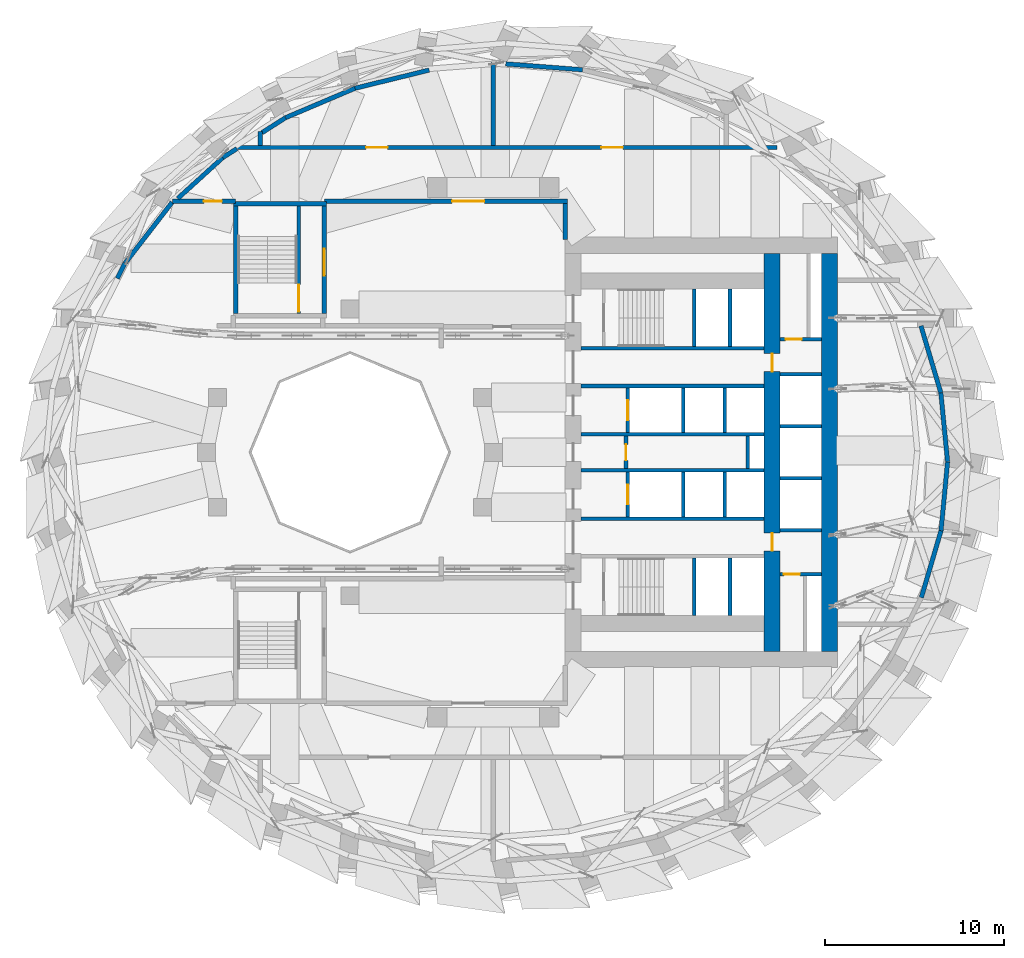
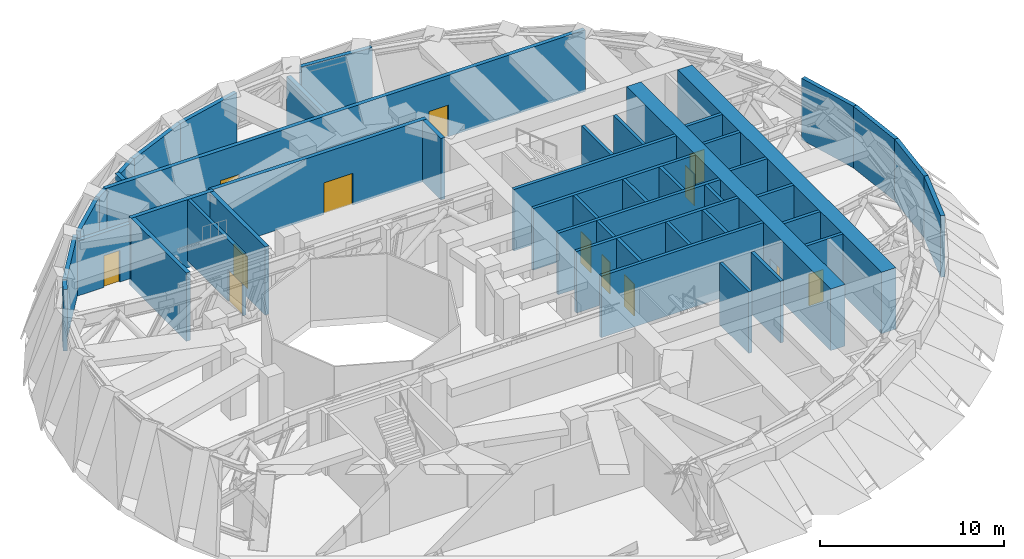
# One storey, part 8 of 14: 47 walls, 13 doors, 13 openings.
"""IFC4 building model written with IfcOpenShell, lengths in metres."""

import ifcopenshell
import ifcopenshell.guid

model = None  # the IFC model being written
_history = None  # IfcOwnerHistory: only IFC2X3 demands one
_inside = {}  # id of a spatial element -> (the spatial element, [elements in it])
_under = {}  # id of a project, library or spatial element -> (it, [spatial elements below it])
_declared = {}  # id of a project -> (the project, [libraries it declares])
_typed = {}  # id of a type object -> (the type object, [elements of that type])
_made_of = {}  # id of a material, layer set ... -> (it, [elements and type objects made of it])


def new_model(schema):
    """Start an empty IFC model of exactly this schema.

    Asked for "IFC4X3", IfcOpenShell would pick the latest addendum, in which some entities
    have other attributes; the version numbers below select the first issue.
    IFC2X3 requires an IfcOwnerHistory on every rooted entity: one is made here for all.
    """
    global model, _history
    if schema == "IFC4X3":
        model = ifcopenshell.file(schema_version=(4, 3, 0, 0))
    else:
        model = ifcopenshell.file(schema=schema)
    _inside.clear()
    _under.clear()
    _declared.clear()
    _typed.clear()
    _made_of.clear()
    _history = None
    if model.schema == "IFC2X3":
        org = make("IfcOrganization", Name="unknown")
        user = make(
            "IfcPersonAndOrganization",
            ThePerson=make("IfcPerson", FamilyName="unknown"),
            TheOrganization=org,
        )
        app = make(
            "IfcApplication",
            ApplicationDeveloper=org,
            Version="unknown",
            ApplicationFullName="unknown",
            ApplicationIdentifier="unknown",
        )
        _history = make(
            "IfcOwnerHistory",
            OwningUser=user,
            OwningApplication=app,
            ChangeAction="ADDED",
            CreationDate=0,
        )
    return model


def make(cls, **values):
    """One entity of the class cls with the attributes given. An attribute that is None is left unset."""
    return model.create_entity(
        cls, **{name: value for name, value in values.items() if value is not None}
    )


def rooted(cls, **values):
    """An entity with a GlobalId (a new one), such as an element, a storey or a relation."""
    return make(cls, GlobalId=ifcopenshell.guid.new(), OwnerHistory=_history, **values)


def si_unit(unit_type, name, prefix=None):
    """IfcSIUnit, for example si_unit("LENGTHUNIT", "METRE", prefix="MILLI")."""
    return make("IfcSIUnit", UnitType=unit_type, Prefix=prefix, Name=name)


def assignment(units):
    """IfcUnitAssignment: the units of a project."""
    return None if units is None else make("IfcUnitAssignment", Units=units)


def point(xyz):
    """IfcCartesianPoint."""
    return None if xyz is None else make("IfcCartesianPoint", Coordinates=xyz)


def direction(xyz):
    """IfcDirection."""
    return None if xyz is None else make("IfcDirection", DirectionRatios=xyz)


def frame(location, z_axis=None, x_axis=None):
    """IfcAxis2Placement3D, a coordinate frame: its origin and axes. An axis left out is left unset."""
    return make(
        "IfcAxis2Placement3D",
        Location=point(location),
        Axis=direction(z_axis),
        RefDirection=direction(x_axis),
    )


def frame_2d(location, x_axis=None):
    """IfcAxis2Placement2D, a coordinate frame in the plane: its origin and x axis."""
    return make(
        "IfcAxis2Placement2D", Location=point(location), RefDirection=direction(x_axis)
    )


def origin():
    """The frame at (0, 0, 0) with its axes left unset."""
    return frame((0.0, 0.0, 0.0))


def place(relative_to, where):
    """IfcLocalPlacement: puts the frame where relative to a parent placement (None: the world)."""
    return make(
        "IfcLocalPlacement", PlacementRelTo=relative_to, RelativePlacement=where
    )


def context(
    kind, dimensions, precision=None, world=None, true_north=None, identifier=None
):
    """IfcGeometricRepresentationContext, for example the 3D "Model" context."""
    return make(
        "IfcGeometricRepresentationContext",
        ContextIdentifier=identifier,
        ContextType=kind,
        CoordinateSpaceDimension=dimensions,
        Precision=precision,
        WorldCoordinateSystem=world,
        TrueNorth=true_north,
    )


def subcontext(parent, identifier, kind, view, scale=None):
    """IfcGeometricRepresentationSubContext, for example "Body" below "Model"."""
    return make(
        "IfcGeometricRepresentationSubContext",
        ContextIdentifier=identifier,
        ContextType=kind,
        ParentContext=parent,
        TargetScale=scale,
        TargetView=view,
    )


def project(units=None, contexts=None):
    """IfcProject with its units and contexts."""
    return rooted(
        "IfcProject",
        Name="project",
        RepresentationContexts=contexts,
        UnitsInContext=assignment(units),
    )


def spatial(cls, under=None, at=None, **own):
    """A site, building, storey or space (cls), placed at a placement, below another one or the project."""
    s = rooted(cls, ObjectPlacement=at, **own)
    if under is not None:
        _under.setdefault(under.id(), (under, []))[1].append(s)
    return s


def profile(cls, at=None, kind="AREA", **sizes):
    """A parametric profile (cls). Its sizes go by their IFC names, for example OverallWidth=200.0."""
    return make(cls, ProfileType=kind, Position=at, **sizes)


def rectangle(**sizes):
    """IfcRectangleProfileDef."""
    return profile("IfcRectangleProfileDef", **sizes)


def extrude(swept, where, along, depth):
    """IfcExtrudedAreaSolid: the profile swept, set in the frame where, extruded along a direction by depth."""
    return make(
        "IfcExtrudedAreaSolid",
        SweptArea=swept,
        Position=where,
        ExtrudedDirection=direction(along),
        Depth=depth,
    )


def shape(context_of_items, identifier, shape_type, items):
    """IfcShapeRepresentation: the items that make up one representation, for example the "Body"."""
    return make(
        "IfcShapeRepresentation",
        ContextOfItems=context_of_items,
        RepresentationIdentifier=identifier,
        RepresentationType=shape_type,
        Items=items,
    )


def material(Name=None, Category=None):
    """IfcMaterial."""
    return make("IfcMaterial", Name=Name, Category=Category)


def layer(
    of_material, thickness, ventilated=None, Name=None, Category=None, Priority=None
):
    """IfcMaterialLayer: one layer of a wall or slab, of a material (None: an air gap)."""
    return make(
        "IfcMaterialLayer",
        Material=of_material,
        LayerThickness=thickness,
        IsVentilated=ventilated,
        Name=Name,
        Category=Category,
        Priority=Priority,
    )


def layer_set(layers, Name=None):
    """IfcMaterialLayerSet."""
    return make("IfcMaterialLayerSet", MaterialLayers=layers, LayerSetName=Name)


def made_of(thing, what):
    """Note that an element or type object is made of a material, layer set ...; save() writes the relation."""
    if what is not None:
        _made_of.setdefault(what.id(), (what, []))[1].append(thing)
    return thing


def type_object(cls, material=None, **own):
    """A type object (cls), such as IfcWallType, which elements share."""
    return made_of(rooted(cls, **own), material)


def element(
    cls,
    number,
    at=None,
    inside=None,
    cuts=None,
    type_object=None,
    material=None,
    context=None,
    identifier="Body",
    shape_type=None,
    held_by="IfcProductDefinitionShape",
    body=None,
    shapes=None,
    **own,
):
    """One element of the class cls, such as IfcWall. Its Tag is "e" and its number.

    at: its placement. inside: the storey or other place that contains it. cuts: it is an
    opening in that element (IfcRelVoidsElement). A single representation is given by context,
    identifier, shape_type and body (its items); several are given by shapes. held_by: the class
    of the entity that holds the representations. save() writes the other relations.
    """
    e = rooted(cls, Tag="e%d" % number, ObjectPlacement=at, **own)
    if body is not None:
        shapes = [shape(context, identifier, shape_type, body)]
    if shapes is not None:
        e.Representation = make(held_by, Representations=shapes)
    if inside is not None:
        _inside.setdefault(inside.id(), (inside, []))[1].append(e)
    if cuts is not None:
        rooted(
            "IfcRelVoidsElement", RelatingBuildingElement=cuts, RelatedOpeningElement=e
        )
    if type_object is not None:
        _typed.setdefault(type_object.id(), (type_object, []))[1].append(e)
    return made_of(e, material)


def fill(opening, filler):
    """IfcRelFillsElement: the door or window that sits in an opening."""
    return rooted(
        "IfcRelFillsElement",
        RelatingOpeningElement=opening,
        RelatedBuildingElement=filler,
    )


def aggregate(whole, parts):
    """IfcRelAggregates: a whole, such as a stair, and the parts it consists of."""
    return rooted("IfcRelAggregates", RelatingObject=whole, RelatedObjects=parts)


def save(model, path):
    """Write the relations noted so far, then the file.

    IfcRelAggregates (storeys below a building ...), IfcRelContainedInSpatialStructure (elements
    in a storey), IfcRelDefinesByType, IfcRelAssociatesMaterial and IfcRelDeclares: one each for
    every whole, place, type object, material and project.
    """
    for whole, parts in _under.values():
        aggregate(whole, parts)
    for where, things in _inside.values():
        rooted(
            "IfcRelContainedInSpatialStructure",
            RelatedElements=things,
            RelatingStructure=where,
        )
    for kind, things in _typed.values():
        rooted("IfcRelDefinesByType", RelatedObjects=things, RelatingType=kind)
    for what, things in _made_of.values():
        rooted("IfcRelAssociatesMaterial", RelatedObjects=things, RelatingMaterial=what)
    for by, libraries in _declared.values():
        rooted("IfcRelDeclares", RelatingContext=by, RelatedDefinitions=libraries)
    model.write(path)


model = new_model("IFC4")

# Units and contexts
model_context = context("Model", 3, precision=1e-05, world=origin(), true_north=direction((0.0, 1.0)))
body_context = subcontext(model_context, "Body", "Model", "MODEL_VIEW")
ifc_project = project(units=[si_unit("LENGTHUNIT", "METRE"), si_unit("AREAUNIT", "SQUARE_METRE"), si_unit("VOLUMEUNIT", "CUBIC_METRE"), si_unit("PLANEANGLEUNIT", "RADIAN"), si_unit("MASSUNIT", "GRAM", prefix="KILO")], contexts=[model_context])

# Site, building, storey
site_placement = place(None, origin())
site = spatial("IfcSite", under=ifc_project, at=site_placement, CompositionType="ELEMENT")
building_placement = place(site_placement, origin())
building = spatial("IfcBuilding", under=site, at=building_placement, Name="Taillehof Tower", CompositionType="ELEMENT")
storey_placement = place(building_placement, frame((0.0, 0.0, 135.10009765625)))
storey = spatial("IfcBuildingStorey", under=building, at=storey_placement, Name="L38", CompositionType="ELEMENT", Elevation=135.10009765625)

# Wall, opening, door
ifc_material_1 = material(Name="Calcium silicate masonry", Category="masonry")
ifc_layer_1 = layer(ifc_material_1, 0.199951171875)
ifc_layer_set_1 = layer_set([ifc_layer_1], Name="Compartment wall calcium silicate 200")
wall_type_1 = type_object("IfcWallType", Name="Compartment wall calcium silicate 200", PredefinedType="PARTITIONING", material=ifc_layer_set_1)
wall_1_placement = place(storey_placement, frame((7.39990234375, -0.89990234375, 0.0), z_axis=(0.0, 0.0, 1.0), x_axis=(0.0, 1.0, 0.0)))
wall_1 = element("IfcWall", 1, at=wall_1_placement, inside=storey, type_object=wall_type_1, Name="Compartment wall FW", PredefinedType="PARTITIONING", context=body_context, shape_type="SweptSolid", body=[
    extrude(rectangle(XDim=1.7998046875, YDim=0.199951171875, at=frame_2d((0.89990234375, 0.0))), origin(), (0.0, 0.0, 1.0), 4.08984375),
])
opening_1_placement = place(wall_1_placement, frame((0.449951171875, 0.0, 0.0)))
opening_1 = element("IfcOpeningElement", 2, at=opening_1_placement, cuts=wall_1, Name="Opening D3812", PredefinedType="OPENING", context=body_context, shape_type="SweptSolid", body=[
    extrude(rectangle(XDim=0.89990234375, YDim=2.10009765625, at=frame_2d((0.449951171875, 1.050048828125))), frame((0.0, 0.10986328125, 0.0), z_axis=(0.0, -1.0, 0.0), x_axis=(1.0, 0.0, 0.0)), (0.0, 0.0, 1.0), 0.219970703125),
])
ifc_material_2 = material(Name="Steel-faced fire door", Category="steel")
door_type_1 = type_object("IfcDoorType", Name="Riser and service room door 900x2100", OperationType="SINGLE_SWING_LEFT", PredefinedType="DOOR", material=ifc_material_2)
door_1_placement = place(opening_1_placement, origin())
door_1 = element("IfcDoor", 3, at=door_1_placement, inside=storey, type_object=door_type_1, Name="Door Staff Pantry", OperationType="SINGLE_SWING_RIGHT", OverallHeight=2.10009765625, OverallWidth=0.89990234375, PredefinedType="DOOR", context=body_context, shape_type="SweptSolid", body=[
    extrude(rectangle(XDim=0.89990234375, YDim=2.10009765625, at=frame_2d((0.449951171875, 1.050048828125))), frame((0.0, 0.02490234375, 0.0), z_axis=(0.0, -1.0, 0.0), x_axis=(1.0, 0.0, 0.0)), (0.0, 0.0, 1.0), 0.050048828125),
])
fill(opening_1, door_1)

# Wall
wall_2_placement = place(storey_placement, frame((14.199951171875, -0.89990234375, 0.0), z_axis=(0.0, 0.0, 1.0), x_axis=(0.0, 1.0, 0.0)))
element("IfcWall", 4, at=wall_2_placement, inside=storey, type_object=wall_type_1, Name="Compartment wall FW", PredefinedType="PARTITIONING", context=body_context, shape_type="SweptSolid", body=[
    extrude(rectangle(XDim=1.7998046875, YDim=0.199951171875, at=frame_2d((0.89990234375, 0.0))), origin(), (0.0, 0.0, 1.0), 4.08984375),
])

# Wall, opening, door
wall_3_placement = place(storey_placement, frame((16.0, 6.300048828125, 0.0), z_axis=(0.0, 0.0, 1.0), x_axis=(1.0, 0.0, 0.0)))
wall_3 = element("IfcWall", 5, at=wall_3_placement, inside=storey, type_object=wall_type_1, Name="Compartment wall FW", PredefinedType="PARTITIONING", context=body_context, shape_type="SweptSolid", body=[
    extrude(rectangle(XDim=2.300048828125, YDim=0.199951171875, at=frame_2d((1.14990234375, 0.0))), origin(), (0.0, 0.0, 1.0), 4.08984375),
])
opening_2_placement = place(wall_3_placement, frame((0.300048828125, 0.0, 0.0)))
opening_2 = element("IfcOpeningElement", 6, at=opening_2_placement, cuts=wall_3, Name="Opening D3814", PredefinedType="OPENING", context=body_context, shape_type="SweptSolid", body=[
    extrude(rectangle(XDim=0.89990234375, YDim=2.10009765625, at=frame_2d((0.449951171875, 1.050048828125))), frame((0.0, 0.10986328125, 0.0), z_axis=(0.0, -1.0, 0.0), x_axis=(1.0, 0.0, 0.0)), (0.0, 0.0, 1.0), 0.219970703125),
])
door_2_placement = place(opening_2_placement, origin())
door_2 = element("IfcDoor", 7, at=door_2_placement, inside=storey, type_object=door_type_1, Name="Door Linen Store", OperationType="SINGLE_SWING_RIGHT", OverallHeight=2.10009765625, OverallWidth=0.89990234375, PredefinedType="DOOR", context=body_context, shape_type="SweptSolid", body=[
    extrude(rectangle(XDim=0.89990234375, YDim=2.10009765625, at=frame_2d((0.449951171875, 1.050048828125))), frame((0.0, 0.02490234375, 0.0), z_axis=(0.0, -1.0, 0.0), x_axis=(1.0, 0.0, 0.0)), (0.0, 0.0, 1.0), 0.050048828125),
])
fill(opening_2, door_2)

wall_4_placement = place(storey_placement, frame((16.0, -6.800048828125, 0.0), z_axis=(0.0, 0.0, 1.0), x_axis=(1.0, 0.0, 0.0)))
wall_4 = element("IfcWall", 8, at=wall_4_placement, inside=storey, type_object=wall_type_1, Name="Compartment wall FW", PredefinedType="PARTITIONING", context=body_context, shape_type="SweptSolid", body=[
    extrude(rectangle(XDim=2.300048828125, YDim=0.199951171875, at=frame_2d((1.14990234375, 0.0))), origin(), (0.0, 0.0, 1.0), 4.08984375),
])
opening_3_placement = place(wall_4_placement, frame((0.199951171875, 0.0, 0.0)))
opening_3 = element("IfcOpeningElement", 9, at=opening_3_placement, cuts=wall_4, Name="Opening D3816", PredefinedType="OPENING", context=body_context, shape_type="SweptSolid", body=[
    extrude(rectangle(XDim=0.89990234375, YDim=2.10009765625, at=frame_2d((0.449951171875, 1.050048828125))), frame((0.0, 0.10986328125, 0.0), z_axis=(0.0, -1.0, 0.0), x_axis=(1.0, 0.0, 0.0)), (0.0, 0.0, 1.0), 0.219970703125),
])
door_3_placement = place(opening_3_placement, origin())
door_3 = element("IfcDoor", 10, at=door_3_placement, inside=storey, type_object=door_type_1, Name="Door Housekeeping Store", OperationType="SINGLE_SWING_LEFT", OverallHeight=2.10009765625, OverallWidth=0.89990234375, PredefinedType="DOOR", context=body_context, shape_type="SweptSolid", body=[
    extrude(rectangle(XDim=0.89990234375, YDim=2.10009765625, at=frame_2d((0.449951171875, 1.050048828125))), frame((0.0, 0.02490234375, 0.0), z_axis=(0.0, -1.0, 0.0), x_axis=(1.0, 0.0, 0.0)), (0.0, 0.0, 1.0), 0.050048828125),
])
fill(opening_3, door_3)

# Wall
ifc_material_3 = material(Name="Concrete C80/95", Category="concrete")
ifc_layer_2 = layer(ifc_material_3, 0.89990234375)
ifc_layer_set_2 = layer_set([ifc_layer_2], Name="Core wall C80/95 900")
wall_type_2 = type_object("IfcWallType", Name="Core wall C80/95 900", PredefinedType="SHEAR", material=ifc_layer_set_2)
wall_5_placement = place(storey_placement, frame((18.75, -11.10009765625, 0.0), z_axis=(0.0, 0.0, 1.0), x_axis=(0.0, 1.0, 0.0)))
element("IfcWall", 11, at=wall_5_placement, inside=storey, type_object=wall_type_2, Name="Core wall CW02", PredefinedType="SHEAR", context=body_context, shape_type="SweptSolid", body=[
    extrude(rectangle(XDim=22.2001953125, YDim=0.89990234375, at=frame_2d((11.10009765625, 0.0))), origin(), (0.0, 0.0, 1.0), 4.08984375),
])

# Wall, openings, doors
wall_6_placement = place(storey_placement, frame((15.550048828125, -11.10009765625, 0.0), z_axis=(0.0, 0.0, 1.0), x_axis=(0.0, 1.0, 0.0)))
wall_6 = element("IfcWall", 12, at=wall_6_placement, inside=storey, type_object=wall_type_2, Name="Core wall CW05", PredefinedType="SHEAR", context=body_context, shape_type="SweptSolid", body=[
    extrude(rectangle(XDim=22.2001953125, YDim=0.89990234375, at=frame_2d((11.10009765625, 0.0))), origin(), (0.0, 0.0, 1.0), 4.08984375),
])
opening_4_placement = place(wall_6_placement, frame((15.60009765625, 0.0, 0.0)))
opening_4 = element("IfcOpeningElement", 13, at=opening_4_placement, cuts=wall_6, Name="Opening D3813", PredefinedType="OPENING", context=body_context, shape_type="SweptSolid", body=[
    extrude(rectangle(XDim=1.0, YDim=2.10009765625, at=frame_2d((0.5, 1.050048828125))), frame((0.0, 0.4599609375, 0.0), z_axis=(0.0, -1.0, 0.0), x_axis=(1.0, 0.0, 0.0)), (0.0, 0.0, 1.0), 0.919921875),
])
opening_5_placement = place(wall_6_placement, frame((5.60009765625, 0.0, 0.0)))
opening_5 = element("IfcOpeningElement", 14, at=opening_5_placement, cuts=wall_6, Name="Opening D3815", PredefinedType="OPENING", context=body_context, shape_type="SweptSolid", body=[
    extrude(rectangle(XDim=1.0, YDim=2.10009765625, at=frame_2d((0.5, 1.050048828125))), frame((0.0, 0.4599609375, 0.0), z_axis=(0.0, -1.0, 0.0), x_axis=(1.0, 0.0, 0.0)), (0.0, 0.0, 1.0), 0.919921875),
])
ifc_material_4 = material(Name="Steel-faced fire door", Category="steel")
door_type_2 = type_object("IfcDoorType", Name="Service door 1000x2100", OperationType="SINGLE_SWING_RIGHT", PredefinedType="DOOR", material=ifc_material_4)
door_4_placement = place(opening_4_placement, origin())
door_4 = element("IfcDoor", 15, at=door_4_placement, inside=storey, type_object=door_type_2, Name="Service door strip", OperationType="SINGLE_SWING_RIGHT", OverallHeight=2.10009765625, OverallWidth=1.0, PredefinedType="DOOR", context=body_context, shape_type="SweptSolid", body=[
    extrude(rectangle(XDim=1.0, YDim=2.10009765625, at=frame_2d((0.5, 1.050048828125))), frame((0.0, 0.02490234375, 0.0), z_axis=(0.0, -1.0, 0.0), x_axis=(1.0, 0.0, 0.0)), (0.0, 0.0, 1.0), 0.050048828125),
])
fill(opening_4, door_4)
door_5_placement = place(opening_5_placement, origin())
door_5 = element("IfcDoor", 16, at=door_5_placement, inside=storey, type_object=door_type_2, Name="Service door strip", OperationType="SINGLE_SWING_LEFT", OverallHeight=2.10009765625, OverallWidth=1.0, PredefinedType="DOOR", context=body_context, shape_type="SweptSolid", body=[
    extrude(rectangle(XDim=1.0, YDim=2.10009765625, at=frame_2d((0.5, 1.050048828125))), frame((0.0, 0.02490234375, 0.0), z_axis=(0.0, -1.0, 0.0), x_axis=(1.0, 0.0, 0.0)), (0.0, 0.0, 1.0), 0.050048828125),
])
fill(opening_5, door_5)

# Walls
ifc_material_5 = material(Name="Calcium silicate blockwork", Category="masonry")
ifc_layer_3 = layer(ifc_material_5, 0.25)
ifc_layer_set_3 = layer_set([ifc_layer_3], Name="Fire-resisting wall EI 120 250 mm")
wall_type_3 = type_object("IfcWallType", Name="Fire-resisting wall EI 120 250 mm", PredefinedType="PARTITIONING", material=ifc_layer_set_3)
wall_7_placement = place(storey_placement, frame((-15.0859375, 16.438232421875, 0.0), z_axis=(0.0, 0.0, 1.0), x_axis=(-0.740584857479, -0.671962847836, 0.0)))
element("IfcWall", 17, at=wall_7_placement, inside=storey, type_object=wall_type_3, Name="Wall TRB / L38-04", PredefinedType="PARTITIONING", context=body_context, shape_type="SweptSolid", body=[
    extrude(rectangle(XDim=3.390625, YDim=0.25, at=frame_2d((1.6953125, 0.0))), origin(), (0.0, 0.0, 1.0), 4.08984375),
])
wall_8_placement = place(storey_placement, frame((-14.30322265625, 16.935791015625, 0.0), z_axis=(0.0, 0.0, 1.0), x_axis=(-0.843921523767, -0.536466645489, 0.0)))
element("IfcWall", 18, at=wall_8_placement, inside=storey, type_object=wall_type_3, Name="Wall TRB / L38-04", PredefinedType="PARTITIONING", context=body_context, shape_type="SweptSolid", body=[
    extrude(rectangle(XDim=0.927490234375, YDim=0.25, at=frame_2d((0.4638671875, 0.0))), origin(), (0.0, 0.0, 1.0), 4.08984375),
])
wall_9_placement = place(storey_placement, frame((-11.58935546875, 18.66162109375, 0.0), z_axis=(0.0, 0.0, 1.0), x_axis=(-0.843810409239, -0.536641400993, 0.0)))
element("IfcWall", 19, at=wall_9_placement, inside=storey, type_object=wall_type_3, Name="Wall TRB / L38-06", PredefinedType="PARTITIONING", context=body_context, shape_type="SweptSolid", body=[
    extrude(rectangle(XDim=1.55224609375, YDim=0.25, at=frame_2d((0.776123046875, 0.0))), origin(), (0.0, 0.0, 1.0), 4.08984375),
])
wall_10_placement = place(storey_placement, frame((-7.71533203125, 20.304931640625, 0.0), z_axis=(0.0, 0.0, 1.0), x_axis=(-0.920600111253, -0.390506639075, 0.0)))
element("IfcWall", 20, at=wall_10_placement, inside=storey, type_object=wall_type_3, Name="Wall TRB / L38-06", PredefinedType="PARTITIONING", context=body_context, shape_type="SweptSolid", body=[
    extrude(rectangle(XDim=4.208251953125, YDim=0.25, at=frame_2d((2.10400390625, 0.0))), origin(), (0.0, 0.0, 1.0), 4.08984375),
])
wall_11_placement = place(storey_placement, frame((-3.57861328125, 21.317138671875, 0.0), z_axis=(0.0, 0.0, 1.0), x_axis=(-0.971344325352, -0.237676674511, 0.0)))
element("IfcWall", 21, at=wall_11_placement, inside=storey, type_object=wall_type_3, Name="Wall TRB / L38-06", PredefinedType="PARTITIONING", context=body_context, shape_type="SweptSolid", body=[
    extrude(rectangle(XDim=4.2587890625, YDim=0.25, at=frame_2d((2.12939453125, 0.0))), origin(), (0.0, 0.0, 1.0), 4.08984375),
])
wall_12_placement = place(storey_placement, frame((4.97216796875, 21.33251953125, 0.0), z_axis=(0.0, 0.0, 1.0), x_axis=(-0.997024965617, 0.077079296423, 0.0)))
element("IfcWall", 22, at=wall_12_placement, inside=storey, type_object=wall_type_3, Name="Wall TRB / L38-07", PredefinedType="PARTITIONING", context=body_context, shape_type="SweptSolid", body=[
    extrude(rectangle(XDim=4.291748046875, YDim=0.25, at=frame_2d((2.14599609375, 0.0))), origin(), (0.0, 0.0, 1.0), 4.08984375),
])
wall_13_placement = place(storey_placement, frame((-20.542724609375, 10.5419921875, 0.0), z_axis=(0.0, 0.0, 1.0), x_axis=(-0.458005967528, -0.888949117615, 0.0)))
element("IfcWall", 23, at=wall_13_placement, inside=storey, type_object=wall_type_3, Name="Wall TRB / L38-13", PredefinedType="PARTITIONING", context=body_context, shape_type="SweptSolid", body=[
    extrude(rectangle(XDim=0.947265625, YDim=0.25, at=frame_2d((0.4736328125, 0.0))), origin(), (0.0, 0.0, 1.0), 4.08984375),
])
wall_14_placement = place(storey_placement, frame((-17.910400390625, 13.948974609375, 0.0), z_axis=(0.0, 0.0, 1.0), x_axis=(-0.611397470005, -0.791323659239, 0.0)))
element("IfcWall", 24, at=wall_14_placement, inside=storey, type_object=wall_type_3, Name="Wall TRB / L38-13", PredefinedType="PARTITIONING", context=body_context, shape_type="SweptSolid", body=[
    extrude(rectangle(XDim=4.305419921875, YDim=0.25, at=frame_2d((2.15283203125, 0.0))), origin(), (0.0, 0.0, 1.0), 4.08984375),
])
wall_15_placement = place(storey_placement, frame((24.958251953125, 3.320068359375, 0.0), z_axis=(0.0, 0.0, 1.0), x_axis=(-0.284803618413, 0.958585885009, 0.0)))
element("IfcWall", 25, at=wall_15_placement, inside=storey, type_object=wall_type_3, Name="Wall TRB / TRE", PredefinedType="PARTITIONING", context=body_context, shape_type="SweptSolid", body=[
    extrude(rectangle(XDim=3.892578125, YDim=0.25, at=frame_2d((1.9462890625, 0.0))), origin(), (0.0, 0.0, 1.0), 4.08984375),
])
wall_16_placement = place(storey_placement, frame((23.870361328125, -8.104248046875, 0.0), z_axis=(0.0, 0.0, 1.0), x_axis=(0.282434636529, 0.95928654535, 0.0)))
element("IfcWall", 26, at=wall_16_placement, inside=storey, type_object=wall_type_3, Name="Wall TRB / TRE", PredefinedType="PARTITIONING", context=body_context, shape_type="SweptSolid", body=[
    extrude(rectangle(XDim=3.8916015625, YDim=0.25, at=frame_2d((1.94580078125, 0.0))), origin(), (0.0, 0.0, 1.0), 4.08984375),
])
wall_17_placement = place(storey_placement, frame((25.335693359375, -0.525634765625, 0.0), z_axis=(0.0, 0.0, 1.0), x_axis=(-0.09767694876, 0.99521817391, 0.0)))
element("IfcWall", 27, at=wall_17_placement, inside=storey, type_object=wall_type_3, Name="Wall TRB / TRE", PredefinedType="PARTITIONING", context=body_context, shape_type="SweptSolid", body=[
    extrude(rectangle(XDim=3.8642578125, YDim=0.25, at=frame_2d((1.93212890625, 0.0))), origin(), (0.0, 0.0, 1.0), 4.08984375),
])
wall_18_placement = place(storey_placement, frame((24.969482421875, -4.37109375, 0.0), z_axis=(0.0, 0.0, 1.0), x_axis=(0.094803127486, 0.995496040685, 0.0)))
element("IfcWall", 28, at=wall_18_placement, inside=storey, type_object=wall_type_3, Name="Wall TRB / TRE", PredefinedType="PARTITIONING", context=body_context, shape_type="SweptSolid", body=[
    extrude(rectangle(XDim=3.86279296875, YDim=0.25, at=frame_2d((1.931396484375, 0.0))), origin(), (0.0, 0.0, 1.0), 4.08984375),
])

# Wall, opening, door
wall_19_placement = place(storey_placement, frame((-17.898193359375, 14.0, 0.0), z_axis=(0.0, 0.0, 1.0), x_axis=(1.0, 0.0, 0.0)))
wall_19 = element("IfcWall", 29, at=wall_19_placement, inside=storey, type_object=wall_type_3, Name="Wall L38-04 / L38-13", PredefinedType="PARTITIONING", context=body_context, shape_type="SweptSolid", body=[
    extrude(rectangle(XDim=3.523193359375, YDim=0.25, at=frame_2d((1.76171875, 0.0))), origin(), (0.0, 0.0, 1.0), 3.639892578125),
])
opening_6_placement = place(wall_19_placement, frame((1.76123046875, 0.0, 0.0)))
opening_6 = element("IfcOpeningElement", 30, at=opening_6_placement, cuts=wall_19, Name="Opening D3846", PredefinedType="OPENING", context=body_context, shape_type="SweptSolid", body=[
    extrude(rectangle(XDim=1.0, YDim=2.10009765625, at=frame_2d((0.5, 1.050048828125))), frame((0.0, 0.135009765625, 0.0), z_axis=(0.0, -1.0, 0.0), x_axis=(1.0, 0.0, 0.0)), (0.0, 0.0, 1.0), 0.27001953125),
])
ifc_material_6 = material(Name="Hollow metal door set")
door_type_3 = type_object("IfcDoorType", Name="Single door 1000 x 2100 FD120S", OperationType="SINGLE_SWING_LEFT", PredefinedType="DOOR", material=ifc_material_6)
door_6_placement = place(opening_6_placement, origin())
door_6 = element("IfcDoor", 31, at=door_6_placement, inside=storey, type_object=door_type_3, Name="Door D3846", OperationType="SINGLE_SWING_LEFT", OverallHeight=2.10009765625, OverallWidth=1.0, PredefinedType="DOOR", context=body_context, shape_type="SweptSolid", body=[
    extrude(rectangle(XDim=1.0, YDim=2.10009765625, at=frame_2d((0.5, 1.050048828125))), frame((0.0, 0.02490234375, 0.0), z_axis=(0.0, -1.0, 0.0), x_axis=(1.0, 0.0, 0.0)), (0.0, 0.0, 1.0), 0.050048828125),
])
fill(opening_6, door_6)

wall_20_placement = place(storey_placement, frame((-9.425048828125, 14.0, 0.0), z_axis=(0.0, 0.0, 1.0), x_axis=(1.0, 0.0, 0.0)))
wall_20 = element("IfcWall", 32, at=wall_20_placement, inside=storey, type_object=wall_type_3, Name="Wall L38-01 / L38-04", PredefinedType="PARTITIONING", context=body_context, shape_type="SweptSolid", body=[
    extrude(rectangle(XDim=13.550048828125, YDim=0.25, at=frame_2d((6.77490234375, 0.0))), origin(), (0.0, 0.0, 1.0), 4.08984375),
])
opening_7_placement = place(wall_20_placement, frame((7.125, 0.0, 0.0)))
opening_7 = element("IfcOpeningElement", 33, at=opening_7_placement, cuts=wall_20, Name="Opening D3847", PredefinedType="OPENING", context=body_context, shape_type="SweptSolid", body=[
    extrude(rectangle(XDim=1.800048828125, YDim=2.10009765625, at=frame_2d((0.89990234375, 1.050048828125))), frame((0.0, 0.135009765625, 0.0), z_axis=(0.0, -1.0, 0.0), x_axis=(1.0, 0.0, 0.0)), (0.0, 0.0, 1.0), 0.27001953125),
])
ifc_material_7 = material(Name="Hollow metal door set")
door_type_4 = type_object("IfcDoorType", Name="Double door 1800 x 2100 FD120S", OperationType="DOUBLE_DOOR_SINGLE_SWING", PredefinedType="DOOR", material=ifc_material_7)
door_7_placement = place(opening_7_placement, origin())
door_7 = element("IfcDoor", 34, at=door_7_placement, inside=storey, type_object=door_type_4, Name="Door D3847", OperationType="DOUBLE_DOOR_SINGLE_SWING", OverallHeight=2.10009765625, OverallWidth=1.800048828125, PredefinedType="DOOR", context=body_context, shape_type="SweptSolid", body=[
    extrude(rectangle(XDim=1.800048828125, YDim=2.10009765625, at=frame_2d((0.89990234375, 1.050048828125))), frame((0.0, 0.02490234375, 0.0), z_axis=(0.0, -1.0, 0.0), x_axis=(1.0, 0.0, 0.0)), (0.0, 0.0, 1.0), 0.050048828125),
])
fill(opening_7, door_7)

# Wall, openings, doors
wall_21_placement = place(storey_placement, frame((-14.327392578125, 17.0, 0.0), z_axis=(0.0, 0.0, 1.0), x_axis=(1.0, 0.0, 0.0)))
wall_21 = element("IfcWall", 35, at=wall_21_placement, inside=storey, type_object=wall_type_3, Name="Wall L38-04 / X3", PredefinedType="PARTITIONING", context=body_context, shape_type="SweptSolid", body=[
    extrude(rectangle(XDim=30.156982421875, YDim=0.25, at=frame_2d((15.07861328125, 0.0))), origin(), (0.0, 0.0, 1.0), 4.08984375),
])
opening_8_placement = place(wall_21_placement, frame((7.2275390625, 0.0, 0.0)))
opening_8 = element("IfcOpeningElement", 36, at=opening_8_placement, cuts=wall_21, Name="Opening D3848", PredefinedType="OPENING", context=body_context, shape_type="SweptSolid", body=[
    extrude(rectangle(XDim=1.199951171875, YDim=2.10009765625, at=frame_2d((0.60009765625, 1.050048828125))), frame((0.0, 0.135009765625, 0.0), z_axis=(0.0, -1.0, 0.0), x_axis=(1.0, 0.0, 0.0)), (0.0, 0.0, 1.0), 0.27001953125),
])
opening_9_placement = place(wall_21_placement, frame((20.3525390625, 0.0, 0.0)))
opening_9 = element("IfcOpeningElement", 37, at=opening_9_placement, cuts=wall_21, Name="Opening D3849", PredefinedType="OPENING", context=body_context, shape_type="SweptSolid", body=[
    extrude(rectangle(XDim=1.199951171875, YDim=2.10009765625, at=frame_2d((0.60009765625, 1.050048828125))), frame((0.0, 0.135009765625, 0.0), z_axis=(0.0, -1.0, 0.0), x_axis=(1.0, 0.0, 0.0)), (0.0, 0.0, 1.0), 0.27001953125),
])
ifc_material_8 = material(Name="Hollow metal door set")
door_type_5 = type_object("IfcDoorType", Name="Single door 1200 x 2100 FD120S", OperationType="SINGLE_SWING_LEFT", PredefinedType="DOOR", material=ifc_material_8)
door_8_placement = place(opening_8_placement, origin())
door_8 = element("IfcDoor", 38, at=door_8_placement, inside=storey, type_object=door_type_5, Name="Door D3848", OperationType="SINGLE_SWING_LEFT", OverallHeight=2.10009765625, OverallWidth=1.199951171875, PredefinedType="DOOR", context=body_context, shape_type="SweptSolid", body=[
    extrude(rectangle(XDim=1.199951171875, YDim=2.10009765625, at=frame_2d((0.60009765625, 1.050048828125))), frame((0.0, 0.02490234375, 0.0), z_axis=(0.0, -1.0, 0.0), x_axis=(1.0, 0.0, 0.0)), (0.0, 0.0, 1.0), 0.050048828125),
])
fill(opening_8, door_8)
door_9_placement = place(opening_9_placement, origin())
door_9 = element("IfcDoor", 39, at=door_9_placement, inside=storey, type_object=door_type_5, Name="Door D3849", OperationType="SINGLE_SWING_RIGHT", OverallHeight=2.10009765625, OverallWidth=1.199951171875, PredefinedType="DOOR", context=body_context, shape_type="SweptSolid", body=[
    extrude(rectangle(XDim=1.199951171875, YDim=2.10009765625, at=frame_2d((0.60009765625, 1.050048828125))), frame((0.0, 0.02490234375, 0.0), z_axis=(0.0, -1.0, 0.0), x_axis=(1.0, 0.0, 0.0)), (0.0, 0.0, 1.0), 0.050048828125),
])
fill(opening_9, door_9)

# Walls
wall_22_placement = place(storey_placement, frame((-13.0, 17.125, 0.0), z_axis=(0.0, 0.0, 1.0), x_axis=(0.0, 1.0, 0.0)))
element("IfcWall", 40, at=wall_22_placement, inside=storey, type_object=wall_type_3, Name="Wall L38-06 / X3", PredefinedType="PARTITIONING", context=body_context, shape_type="SweptSolid", body=[
    extrude(rectangle(XDim=0.7646484375, YDim=0.25, at=frame_2d((0.38232421875, 0.0))), origin(), (0.0, 0.0, 1.0), 4.08984375),
])
wall_23_placement = place(storey_placement, frame((0.0, 17.125, 0.0), z_axis=(0.0, 0.0, 1.0), x_axis=(0.0, 1.0, 0.0)))
element("IfcWall", 41, at=wall_23_placement, inside=storey, type_object=wall_type_3, Name="Wall L38-06 / L38-07", PredefinedType="PARTITIONING", context=body_context, shape_type="SweptSolid", body=[
    extrude(rectangle(XDim=4.607177734375, YDim=0.25, at=frame_2d((2.3037109375, 0.0))), origin(), (0.0, 0.0, 1.0), 3.639892578125),
])
wall_24_placement = place(storey_placement, frame((4.0, 11.875, 0.0), z_axis=(0.0, 0.0, 1.0), x_axis=(0.0, 1.0, 0.0)))
element("IfcWall", 42, at=wall_24_placement, inside=storey, type_object=wall_type_3, Name="Wall L38-01 / L38-04", PredefinedType="PARTITIONING", context=body_context, shape_type="SweptSolid", body=[
    extrude(rectangle(XDim=2.0, YDim=0.25, at=frame_2d((1.0, 0.0))), origin(), (0.0, 0.0, 1.0), 4.08984375),
])
ifc_material_9 = material(Name="Concrete C50/60", Category="concrete")
ifc_layer_4 = layer(ifc_material_9, 0.199951171875)
ifc_layer_set_4 = layer_set([ifc_layer_4], Name="Shaft wall C50/60 200")
wall_type_4 = type_object("IfcWallType", Name="Shaft wall C50/60 200", PredefinedType="SHEAR", material=ifc_layer_set_4)
for number, where, z_axis, x_axis, name in (
    (43, (4.89990234375, 5.800048828125, 0.0), (0.0, 0.0, 1.0), (1.0, 0.0, 0.0), "Shaft wall SW"),
    (44, (4.89990234375, 3.699951171875, 0.0), (0.0, 0.0, 1.0), (1.0, 0.0, 0.0), "Shaft wall SW"),
    (45, (4.89990234375, 1.0, 0.0), (0.0, 0.0, 1.0), (1.0, 0.0, 0.0), "Shaft wall SW"),
    (46, (4.89990234375, -1.0, 0.0), (0.0, 0.0, 1.0), (1.0, 0.0, 0.0), "Shaft wall SW"),
    (47, (4.89990234375, -3.699951171875, 0.0), (0.0, 0.0, 1.0), (1.0, 0.0, 0.0), "Shaft wall SW"),
):
    element("IfcWall", number, at=place(storey_placement, frame(where, z_axis=z_axis, x_axis=x_axis)), inside=storey, type_object=wall_type_4, Name=name, PredefinedType="SHEAR", context=body_context, shape_type="SweptSolid", body=[
        extrude(rectangle(XDim=10.2001953125, YDim=0.199951171875, at=frame_2d((5.10009765625, 0.0))), origin(), (0.0, 0.0, 1.0), 4.08984375),
    ])
for number, where, z_axis, x_axis, name in (
    (48, (11.199951171875, 5.89990234375, 0.0), (0.0, 0.0, 1.0), (0.0, 1.0, 0.0), "Shaft wall SW"),
    (49, (11.199951171875, -9.10009765625, 0.0), (0.0, 0.0, 1.0), (0.0, 1.0, 0.0), "Shaft wall SW"),
    (50, (13.199951171875, 5.89990234375, 0.0), (0.0, 0.0, 1.0), (0.0, 1.0, 0.0), "Shaft wall SW"),
    (51, (13.199951171875, -9.10009765625, 0.0), (0.0, 0.0, 1.0), (0.0, 1.0, 0.0), "Shaft wall SW"),
):
    element("IfcWall", number, at=place(storey_placement, frame(where, z_axis=z_axis, x_axis=x_axis)), inside=storey, type_object=wall_type_4, Name=name, PredefinedType="SHEAR", context=body_context, shape_type="SweptSolid", body=[
        extrude(rectangle(XDim=3.2001953125, YDim=0.199951171875, at=frame_2d((1.60009765625, 0.0))), origin(), (0.0, 0.0, 1.0), 4.08984375),
    ])

# Wall, opening, door
wall_25_placement = place(storey_placement, frame((7.5, 1.10009765625, 0.0), z_axis=(0.0, 0.0, 1.0), x_axis=(0.0, 1.0, 0.0)))
wall_25 = element("IfcWall", 52, at=wall_25_placement, inside=storey, type_object=wall_type_4, Name="Shaft wall SW", PredefinedType="SHEAR", context=body_context, shape_type="SweptSolid", body=[
    extrude(rectangle(XDim=2.5, YDim=0.199951171875, at=frame_2d((1.25, 0.0))), origin(), (0.0, 0.0, 1.0), 4.08984375),
])
opening_10_placement = place(wall_25_placement, frame((0.699951171875, 0.0, 0.0)))
opening_10 = element("IfcOpeningElement", 53, at=opening_10_placement, cuts=wall_25, Name="Opening LD1", PredefinedType="OPENING", context=body_context, shape_type="SweptSolid", body=[
    extrude(rectangle(XDim=1.10009765625, YDim=2.10009765625, at=frame_2d((0.550048828125, 1.050048828125))), frame((0.0, 0.10986328125, 0.0), z_axis=(0.0, -1.0, 0.0), x_axis=(1.0, 0.0, 0.0)), (0.0, 0.0, 1.0), 0.219970703125),
])
ifc_material_10 = material(Name="Stainless steel", Category="steel")
door_type_6 = type_object("IfcDoorType", Name="Lift landing door LD1 1100x2100", OperationType="DOUBLE_DOOR_SLIDING", PredefinedType="DOOR", material=ifc_material_10)
door_10_placement = place(opening_10_placement, origin())
door_10 = element("IfcDoor", 54, at=door_10_placement, inside=storey, type_object=door_type_6, Name="Landing door FF1", OperationType="DOUBLE_DOOR_SLIDING", OverallHeight=2.10009765625, OverallWidth=1.10009765625, PredefinedType="DOOR", context=body_context, shape_type="SweptSolid", body=[
    extrude(rectangle(XDim=1.10009765625, YDim=2.10009765625, at=frame_2d((0.550048828125, 1.050048828125))), frame((0.0, 0.02490234375, 0.0), z_axis=(0.0, -1.0, 0.0), x_axis=(1.0, 0.0, 0.0)), (0.0, 0.0, 1.0), 0.050048828125),
])
fill(opening_10, door_10)

wall_26_placement = place(storey_placement, frame((7.5, -3.60009765625, 0.0), z_axis=(0.0, 0.0, 1.0), x_axis=(0.0, 1.0, 0.0)))
wall_26 = element("IfcWall", 55, at=wall_26_placement, inside=storey, type_object=wall_type_4, Name="Shaft wall SW", PredefinedType="SHEAR", context=body_context, shape_type="SweptSolid", body=[
    extrude(rectangle(XDim=2.5, YDim=0.199951171875, at=frame_2d((1.25, 0.0))), origin(), (0.0, 0.0, 1.0), 4.08984375),
])
opening_11_placement = place(wall_26_placement, frame((0.699951171875, 0.0, 0.0)))
opening_11 = element("IfcOpeningElement", 56, at=opening_11_placement, cuts=wall_26, Name="Opening LD1", PredefinedType="OPENING", context=body_context, shape_type="SweptSolid", body=[
    extrude(rectangle(XDim=1.10009765625, YDim=2.10009765625, at=frame_2d((0.550048828125, 1.050048828125))), frame((0.0, 0.10986328125, 0.0), z_axis=(0.0, -1.0, 0.0), x_axis=(1.0, 0.0, 0.0)), (0.0, 0.0, 1.0), 0.219970703125),
])
door_11_placement = place(opening_11_placement, origin())
door_11 = element("IfcDoor", 57, at=door_11_placement, inside=storey, type_object=door_type_6, Name="Landing door FF2", OperationType="DOUBLE_DOOR_SLIDING", OverallHeight=2.10009765625, OverallWidth=1.10009765625, PredefinedType="DOOR", context=body_context, shape_type="SweptSolid", body=[
    extrude(rectangle(XDim=1.10009765625, YDim=2.10009765625, at=frame_2d((0.550048828125, 1.050048828125))), frame((0.0, 0.02490234375, 0.0), z_axis=(0.0, -1.0, 0.0), x_axis=(1.0, 0.0, 0.0)), (0.0, 0.0, 1.0), 0.050048828125),
])
fill(opening_11, door_11)

# Walls
for number, where, z_axis, x_axis, name in (
    (58, (10.60009765625, 1.10009765625, 0.0), (0.0, 0.0, 1.0), (0.0, 1.0, 0.0), "Shaft wall SW"),
    (59, (10.60009765625, -3.60009765625, 0.0), (0.0, 0.0, 1.0), (0.0, 1.0, 0.0), "Shaft wall SW"),
    (60, (12.89990234375, 1.10009765625, 0.0), (0.0, 0.0, 1.0), (0.0, 1.0, 0.0), "Shaft wall SW"),
    (61, (12.89990234375, -3.60009765625, 0.0), (0.0, 0.0, 1.0), (0.0, 1.0, 0.0), "Shaft wall SW"),
):
    element("IfcWall", number, at=place(storey_placement, frame(where, z_axis=z_axis, x_axis=x_axis)), inside=storey, type_object=wall_type_4, Name=name, PredefinedType="SHEAR", context=body_context, shape_type="SweptSolid", body=[
        extrude(rectangle(XDim=2.5, YDim=0.199951171875, at=frame_2d((1.25, 0.0))), origin(), (0.0, 0.0, 1.0), 4.08984375),
    ])

# Wall, opening, door
wall_27_placement = place(storey_placement, frame((-10.85009765625, 7.75, 0.0), z_axis=(0.0, 0.0, 1.0), x_axis=(0.0, 1.0, 0.0)))
wall_27 = element("IfcWall", 62, at=wall_27_placement, inside=storey, type_object=wall_type_4, Name="Shaft wall SW", PredefinedType="SHEAR", context=body_context, shape_type="SweptSolid", body=[
    extrude(rectangle(XDim=6.0, YDim=0.199951171875, at=frame_2d((3.0, 0.0))), origin(), (0.0, 0.0, 1.0), 4.08984375),
])
opening_12_placement = place(wall_27_placement, frame((0.10009765625, 0.0, 0.0)))
opening_12 = element("IfcOpeningElement", 63, at=opening_12_placement, cuts=wall_27, Name="Opening D3810", PredefinedType="OPENING", context=body_context, shape_type="SweptSolid", body=[
    extrude(rectangle(XDim=1.5, YDim=2.10009765625, at=frame_2d((0.75, 1.050048828125))), frame((0.0, 0.10986328125, 0.0), z_axis=(0.0, -1.0, 0.0), x_axis=(1.0, 0.0, 0.0)), (0.0, 0.0, 1.0), 0.219970703125),
])
ifc_material_11 = material(Name="Steel-faced fire door", Category="steel")
door_type_7 = type_object("IfcDoorType", Name="Stair door 1500x2100", OperationType="DOUBLE_DOOR_SINGLE_SWING", PredefinedType="DOOR", material=ifc_material_11)
door_12_placement = place(opening_12_placement, origin())
door_12 = element("IfcDoor", 64, at=door_12_placement, inside=storey, type_object=door_type_7, Name="Stair lobby door S3", OperationType="DOUBLE_DOOR_SINGLE_SWING", OverallHeight=2.10009765625, OverallWidth=1.5, PredefinedType="DOOR", context=body_context, shape_type="SweptSolid", body=[
    extrude(rectangle(XDim=1.5, YDim=2.10009765625, at=frame_2d((0.75, 1.050048828125))), frame((0.0, 0.02490234375, 0.0), z_axis=(0.0, -1.0, 0.0), x_axis=(1.0, 0.0, 0.0)), (0.0, 0.0, 1.0), 0.050048828125),
])
fill(opening_12, door_12)

# Walls
for number, where, z_axis, x_axis, name in (
    (65, (16.0, -4.35009765625, 0.0), (0.0, 0.0, 1.0), (1.0, 0.0, 0.0), "Shaft wall SW"),
    (66, (16.0, -1.449951171875, 0.0), (0.0, 0.0, 1.0), (1.0, 0.0, 0.0), "Shaft wall SW"),
    (67, (16.0, 1.449951171875, 0.0), (0.0, 0.0, 1.0), (1.0, 0.0, 0.0), "Shaft wall SW"),
    (68, (16.0, 4.35009765625, 0.0), (0.0, 0.0, 1.0), (1.0, 0.0, 0.0), "Shaft wall SW"),
):
    element("IfcWall", number, at=place(storey_placement, frame(where, z_axis=z_axis, x_axis=x_axis)), inside=storey, type_object=wall_type_4, Name=name, PredefinedType="SHEAR", context=body_context, shape_type="SweptSolid", body=[
        extrude(rectangle(XDim=2.300048828125, YDim=0.199951171875, at=frame_2d((1.14990234375, 0.0))), origin(), (0.0, 0.0, 1.0), 4.08984375),
    ])
ifc_material_12 = material(Name="Concrete C50/60", Category="concrete")
ifc_layer_5 = layer(ifc_material_12, 0.25)
ifc_layer_set_5 = layer_set([ifc_layer_5], Name="Stair wall C50/60 250")
wall_type_5 = type_object("IfcWallType", Name="Stair wall C50/60 250", PredefinedType="SHEAR", material=ifc_layer_set_5)
wall_28_placement = place(storey_placement, frame((-14.375, 7.75, -0.4501953125), z_axis=(0.0, 0.0, 1.0), x_axis=(0.0, 1.0, 0.0)))
element("IfcWall", 69, at=wall_28_placement, inside=storey, type_object=wall_type_5, Name="Stair wall SC", PredefinedType="SHEAR", context=body_context, shape_type="SweptSolid", body=[
    extrude(rectangle(XDim=6.0, YDim=0.25, at=frame_2d((3.0, 0.0))), origin(), (0.0, 0.0, 1.0), 4.5400390625),
])

# Wall, opening, door
wall_29_placement = place(storey_placement, frame((-9.425048828125, 7.75, -0.4501953125), z_axis=(0.0, 0.0, 1.0), x_axis=(0.0, 1.0, 0.0)))
wall_29 = element("IfcWall", 70, at=wall_29_placement, inside=storey, type_object=wall_type_5, Name="Stair wall SC", PredefinedType="SHEAR", context=body_context, shape_type="SweptSolid", body=[
    extrude(rectangle(XDim=6.0, YDim=0.25, at=frame_2d((3.0, 0.0))), origin(), (0.0, 0.0, 1.0), 4.5400390625),
])
opening_13_placement = place(wall_29_placement, frame((2.10009765625, 0.0, 0.449951171875)))
opening_13 = element("IfcOpeningElement", 71, at=opening_13_placement, cuts=wall_29, Name="Opening D3817", PredefinedType="OPENING", context=body_context, shape_type="SweptSolid", body=[
    extrude(rectangle(XDim=1.5, YDim=2.10009765625, at=frame_2d((0.75, 1.050048828125))), frame((0.0, 0.135009765625, 0.0), z_axis=(0.0, -1.0, 0.0), x_axis=(1.0, 0.0, 0.0)), (0.0, 0.0, 1.0), 0.27001953125),
])
door_13_placement = place(opening_13_placement, origin())
door_13 = element("IfcDoor", 72, at=door_13_placement, inside=storey, type_object=door_type_7, Name="Stair door S3", OperationType="DOUBLE_DOOR_SINGLE_SWING", OverallHeight=2.10009765625, OverallWidth=1.5, PredefinedType="DOOR", context=body_context, shape_type="SweptSolid", body=[
    extrude(rectangle(XDim=1.5, YDim=2.10009765625, at=frame_2d((0.75, 1.050048828125))), frame((0.0, 0.02490234375, 0.0), z_axis=(0.0, -1.0, 0.0), x_axis=(1.0, 0.0, 0.0)), (0.0, 0.0, 1.0), 0.050048828125),
])
fill(opening_13, door_13)

# Wall
wall_30_placement = place(storey_placement, frame((-14.5, 13.875, -0.4501953125), z_axis=(0.0, 0.0, 1.0), x_axis=(1.0, 0.0, 0.0)))
element("IfcWall", 73, at=wall_30_placement, inside=storey, type_object=wall_type_5, Name="Stair wall SC", PredefinedType="SHEAR", context=body_context, shape_type="SweptSolid", body=[
    extrude(rectangle(XDim=5.199951171875, YDim=0.25, at=frame_2d((2.60009765625, 0.0))), origin(), (0.0, 0.0, 1.0), 4.5400390625),
])

save(model, "model.ifc")
